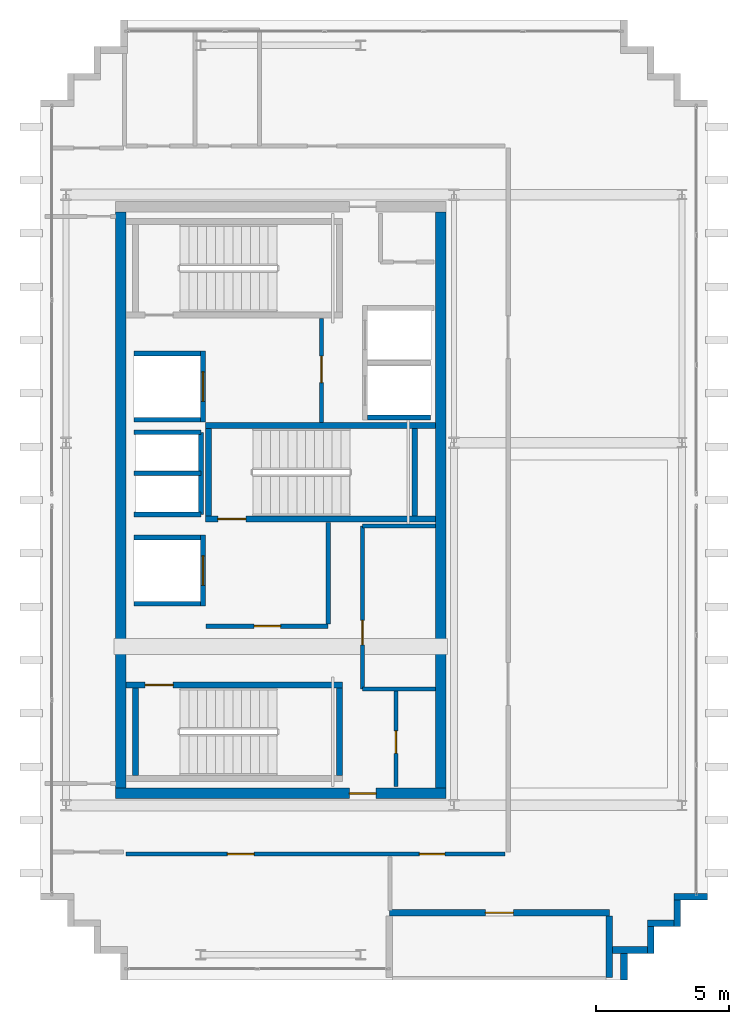
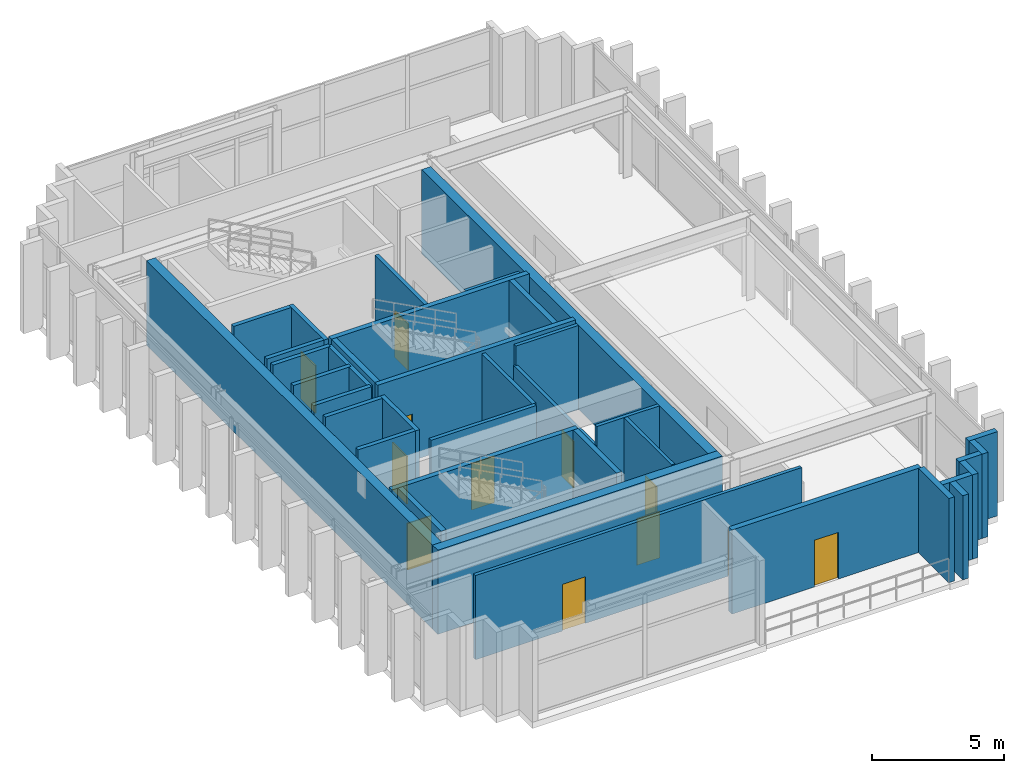
# One storey, part 11 of 15: 37 walls, 12 doors, 12 openings.
"""IFC4 building model written with IfcOpenShell, lengths in metres."""

from ifc_helpers import new_model, si_unit, direction, frame, frame_2d, origin, place, context, subcontext, project, spatial, rectangle, extrude, source, transform, mapped, material, layer, layer_set, type_object, element, fill, save


model = new_model("IFC4")

# Units and contexts
model_context = context("Model", 3, precision=1e-05, world=origin(), true_north=direction((0.0, 1.0)))
body_context = subcontext(model_context, "Body", "Model", "MODEL_VIEW")
ifc_project = project(units=[si_unit("LENGTHUNIT", "METRE"), si_unit("AREAUNIT", "SQUARE_METRE"), si_unit("VOLUMEUNIT", "CUBIC_METRE"), si_unit("PLANEANGLEUNIT", "RADIAN"), si_unit("MASSUNIT", "GRAM", prefix="KILO")], contexts=[model_context])

# Site, building, storey
site_placement = place(None, origin())
site = spatial("IfcSite", under=ifc_project, at=site_placement, CompositionType="ELEMENT")
building_placement = place(site_placement, origin())
building = spatial("IfcBuilding", under=site, at=building_placement, Name="Ocotamira Hotel", CompositionType="ELEMENT")
storey_placement = place(building_placement, frame((0.0, 0.0, 305.39990234375)))
storey = spatial("IfcBuildingStorey", under=building, at=storey_placement, Name="L78", CompositionType="ELEMENT", Elevation=305.39990234375)

# Wall, opening, door
ifc_material_1 = material(Name="Concrete C50/60", Category="concrete")
ifc_layer_1 = layer(ifc_material_1, 0.39990234375)
ifc_layer_set_1 = layer_set([ifc_layer_1], Name="Concrete C50/60")
wall_type_1 = type_object("IfcWallType", Name="WL-CORE-400", PredefinedType="SHEAR", material=ifc_layer_set_1)
wall_1_placement = place(storey_placement, frame((10.800048828125, 15.0, 0.0), z_axis=(0.0, 0.0, 1.0), x_axis=(1.0, 0.0, 0.0)))
wall_1 = element("IfcWall", 1, at=wall_1_placement, inside=storey, type_object=wall_type_1, Name="L78 Shear Core Wall WCORE-S", PredefinedType="SHEAR", context=body_context, shape_type="SweptSolid", body=[
    extrude(rectangle(XDim=12.39990234375, YDim=0.39990234375, at=frame_2d((6.199951171875, 0.0))), origin(), (0.0, 0.0, 1.0), 3.880126953125),
])
opening_1_placement = place(wall_1_placement, frame((8.780029296875, 0.0, 0.0)))
opening_1 = element("IfcOpeningElement", 2, at=opening_1_placement, cuts=wall_1, Name="Opening D-FR2", PredefinedType="OPENING", context=body_context, shape_type="SweptSolid", body=[
    extrude(rectangle(XDim=1.0, YDim=2.14990234375, at=frame_2d((0.5, 1.074951171875))), frame((0.0, 0.2099609375, 0.0), z_axis=(0.0, -1.0, 0.0), x_axis=(1.0, 0.0, 0.0)), (0.0, 0.0, 1.0), 0.419921875),
])
ifc_material_2 = material(Name="Fire-rated acoustic timber-veneer door", Category="wood")
door_type_1 = type_object("IfcDoorType", Name="DR-FIRE-1000", OperationType="NOTDEFINED", PredefinedType="DOOR", material=ifc_material_2)
shared_shape_1 = source(origin(), body_context, "Body", "SweptSolid", [
    extrude(rectangle(XDim=1.0, YDim=2.14990234375, at=frame_2d((0.5, 1.074951171875))), frame((0.0, 0.02490234375, 0.0), z_axis=(0.0, -1.0, 0.0), x_axis=(1.0, 0.0, 0.0)), (0.0, 0.0, 1.0), 0.050048828125),
])
door_1_placement = place(opening_1_placement, origin())
door_1 = element("IfcDoor", 3, at=door_1_placement, inside=storey, type_object=door_type_1, Name="L78 Door ID-L78-WLOB-S-D [ID-L78-WLOB-S-D]", OperationType="SINGLE_SWING_LEFT", OverallHeight=2.14990234375, OverallWidth=1.0, PredefinedType="DOOR", context=body_context, shape_type="MappedRepresentation", body=[
    mapped(shared_shape_1, transform((0.0, 0.0, 0.0), scale=1.0)),
])
fill(opening_1, door_1)

# Walls
for number, where, z_axis, x_axis, name in (
    (4, (11.0, 15.199951171875, 0.0), (0.0, 0.0, 1.0), (0.0, 1.0, 0.0), "L78 Shear Core Wall WCORE-W"),
    (5, (23.0, 15.199951171875, 0.0), (0.0, 0.0, 1.0), (0.0, 1.0, 0.0), "L78 Shear Core Wall WCORE-E"),
):
    element("IfcWall", number, at=place(storey_placement, frame(where, z_axis=z_axis, x_axis=x_axis)), inside=storey, type_object=wall_type_1, Name=name, PredefinedType="SHEAR", context=body_context, shape_type="SweptSolid", body=[
        extrude(rectangle(XDim=21.60009765625, YDim=0.39990234375, at=frame_2d((10.800048828125, 0.0))), origin(), (0.0, 0.0, 1.0), 3.880126953125),
    ])
ifc_material_3 = material(Name="Precast concrete C45/55", Category="concrete")
ifc_layer_2 = layer(ifc_material_3, 0.25)
ifc_layer_set_2 = layer_set([ifc_layer_2], Name="Precast concrete C45/55")
wall_type_2 = type_object("IfcWallType", Name="WL-EXT-SER-250", PredefinedType="SOLIDWALL", material=ifc_layer_set_2)
wall_2_placement = place(storey_placement, frame((29.875, 8.0, 0.0), z_axis=(0.0, 0.0, 1.0), x_axis=(0.0, 1.0, 0.0)))
element("IfcWall", 6, at=wall_2_placement, inside=storey, type_object=wall_type_2, Name="L78 Serrated Corner Wall 01", PredefinedType="SOLIDWALL", context=body_context, shape_type="SweptSolid", body=[
    extrude(rectangle(XDim=1.0, YDim=0.25, at=frame_2d((0.5, 0.0))), origin(), (0.0, 0.0, 1.0), 3.880126953125),
])
wall_3_placement = place(storey_placement, frame((29.449951171875, 9.125, 0.0), z_axis=(0.0, 0.0, 1.0), x_axis=(1.0, 0.0, 0.0)))
element("IfcWall", 7, at=wall_3_placement, inside=storey, type_object=wall_type_2, Name="L78 Serrated Corner Wall 02", PredefinedType="SOLIDWALL", context=body_context, shape_type="SweptSolid", body=[
    extrude(rectangle(XDim=1.300048828125, YDim=0.25, at=frame_2d((0.64990234375, 0.0))), origin(), (0.0, 0.0, 1.0), 3.880126953125),
])
for number, where, z_axis, x_axis, name in (
    (8, (30.875, 9.0, 0.0), (0.0, 0.0, 1.0), (0.0, 1.0, 0.0), "L78 Serrated Corner Wall 03"),
    (9, (30.75, 10.125, 0.0), (0.0, 0.0, 1.0), (1.0, 0.0, 0.0), "L78 Serrated Corner Wall 04"),
    (10, (31.875, 10.0, 0.0), (0.0, 0.0, 1.0), (0.0, 1.0, 0.0), "L78 Serrated Corner Wall 05"),
):
    element("IfcWall", number, at=place(storey_placement, frame(where, z_axis=z_axis, x_axis=x_axis)), inside=storey, type_object=wall_type_2, Name=name, PredefinedType="SOLIDWALL", context=body_context, shape_type="SweptSolid", body=[
        extrude(rectangle(XDim=1.0, YDim=0.25, at=frame_2d((0.5, 0.0))), origin(), (0.0, 0.0, 1.0), 3.880126953125),
    ])
wall_4_placement = place(storey_placement, frame((31.75, 11.125, 0.0), z_axis=(0.0, 0.0, 1.0), x_axis=(1.0, 0.0, 0.0)))
element("IfcWall", 11, at=wall_4_placement, inside=storey, type_object=wall_type_2, Name="L78 Serrated Corner Wall 06", PredefinedType="SOLIDWALL", context=body_context, shape_type="SweptSolid", body=[
    extrude(rectangle(XDim=1.25, YDim=0.25, at=frame_2d((0.625, 0.0))), origin(), (0.0, 0.0, 1.0), 3.880126953125),
])

# Wall, opening, door
wall_5_placement = place(storey_placement, frame((21.074951171875, 10.52490234375, 0.0), z_axis=(0.0, 0.0, 1.0), x_axis=(1.0, 0.0, 0.0)))
wall_5 = element("IfcWall", 12, at=wall_5_placement, inside=storey, type_object=wall_type_2, Name="L78 Sky Terrace Back Wall 1", PredefinedType="SOLIDWALL", context=body_context, shape_type="SweptSolid", body=[
    extrude(rectangle(XDim=8.25, YDim=0.25, at=frame_2d((4.125, 0.0))), origin(), (0.0, 0.0, 1.0), 3.880126953125),
])
opening_2_placement = place(wall_5_placement, frame((3.60009765625, 0.0, 0.0)))
opening_2 = element("IfcOpeningElement", 13, at=opening_2_placement, cuts=wall_5, Name="Opening ED-3", PredefinedType="OPENING", context=body_context, shape_type="SweptSolid", body=[
    extrude(rectangle(XDim=1.050048828125, YDim=2.14990234375, at=frame_2d((0.52490234375, 1.074951171875))), frame((0.0, 0.135009765625, 0.0), z_axis=(0.0, -1.0, 0.0), x_axis=(1.0, 0.0, 0.0)), (0.0, 0.0, 1.0), 0.27001953125),
])
ifc_material_4 = material(Name="Thermally broken aluminium glazed door", Category="aluminium")
door_type_2 = type_object("IfcDoorType", Name="DR-TERR-1050", OperationType="NOTDEFINED", PredefinedType="DOOR", material=ifc_material_4)
shared_shape_2 = source(origin(), body_context, "Body", "SweptSolid", [
    extrude(rectangle(XDim=1.050048828125, YDim=2.14990234375, at=frame_2d((0.52490234375, 1.074951171875))), frame((0.0, 0.02490234375, 0.0), z_axis=(0.0, -1.0, 0.0), x_axis=(1.0, 0.0, 0.0)), (0.0, 0.0, 1.0), 0.050048828125),
])
door_2_placement = place(opening_2_placement, origin())
door_2 = element("IfcDoor", 14, at=door_2_placement, inside=storey, type_object=door_type_2, Name="L78 Sky Terrace Access Door 1 [ED-BAL-L78-1]", OperationType="SINGLE_SWING_RIGHT", OverallHeight=2.14990234375, OverallWidth=1.050048828125, PredefinedType="DOOR", context=body_context, shape_type="MappedRepresentation", body=[
    mapped(shared_shape_2, transform((0.0, 0.0, 0.0), scale=1.0)),
])
fill(opening_2, door_2)

# Wall
wall_6_placement = place(storey_placement, frame((29.324951171875, 8.10009765625, 0.0), z_axis=(0.0, 0.0, 1.0), x_axis=(0.0, 1.0, 0.0)))
element("IfcWall", 15, at=wall_6_placement, inside=storey, type_object=wall_type_2, Name="L78 Sky Terrace Return Wall 1R", PredefinedType="SOLIDWALL", context=body_context, shape_type="SweptSolid", body=[
    extrude(rectangle(XDim=2.2998046875, YDim=0.25, at=frame_2d((1.14990234375, 0.0))), origin(), (0.0, 0.0, 1.0), 3.880126953125),
])

# Wall, opening, door
ifc_material_5 = material(Name="Acoustic double-layer fire gypsum board partition", Category="gypsum")
ifc_layer_3 = layer(ifc_material_5, 0.159912109375)
ifc_layer_set_3 = layer_set([ifc_layer_3], Name="Acoustic double-layer fire gypsum board partition")
wall_type_3 = type_object("IfcWallType", Name="WL-FIRE-160", PredefinedType="PARTITIONING", material=ifc_layer_set_3)
wall_7_placement = place(storey_placement, frame((14.199951171875, 21.27001953125, 0.0), z_axis=(0.0, 0.0, 1.0), x_axis=(1.0, 0.0, 0.0)))
wall_7 = element("IfcWall", 16, at=wall_7_placement, inside=storey, type_object=wall_type_3, Name="L78 Interior Wall PW-L78-FSAE1-S", PredefinedType="PARTITIONING", context=body_context, shape_type="SweptSolid", body=[
    extrude(rectangle(XDim=4.580078125, YDim=0.159912109375, at=frame_2d((2.2900390625, 0.0))), origin(), (0.0, 0.0, 1.0), 3.880126953125),
])
opening_3_placement = place(wall_7_placement, frame((1.800048828125, 0.0, 0.0)))
opening_3 = element("IfcOpeningElement", 17, at=opening_3_placement, cuts=wall_7, Name="Opening D-FR2", PredefinedType="OPENING", context=body_context, shape_type="SweptSolid", body=[
    extrude(rectangle(XDim=1.0, YDim=2.14990234375, at=frame_2d((0.5, 1.074951171875))), frame((0.0, 0.08984375, 0.0), z_axis=(0.0, -1.0, 0.0), x_axis=(1.0, 0.0, 0.0)), (0.0, 0.0, 1.0), 0.179931640625),
])
door_3_placement = place(opening_3_placement, origin())
door_3 = element("IfcDoor", 18, at=door_3_placement, inside=storey, type_object=door_type_1, Name="L78 Door ID-L78-FSAE1-D [ID-L78-FSAE1-D]", OperationType="SINGLE_SWING_LEFT", OverallHeight=2.14990234375, OverallWidth=1.0, PredefinedType="DOOR", context=body_context, shape_type="MappedRepresentation", body=[
    mapped(shared_shape_1, transform((0.0, 0.0, 0.0), scale=1.0)),
])
fill(opening_3, door_3)

# Wall
wall_8_placement = place(storey_placement, frame((18.780029296875, 21.35009765625, 0.0), z_axis=(0.0, 0.0, 1.0), x_axis=(0.0, 1.0, 0.0)))
element("IfcWall", 19, at=wall_8_placement, inside=storey, type_object=wall_type_3, Name="L78 Interior Wall PW-L78-FSAE1-E", PredefinedType="PARTITIONING", context=body_context, shape_type="SweptSolid", body=[
    extrude(rectangle(XDim=3.809814453125, YDim=0.159912109375, at=frame_2d((1.90478515625, 0.0))), origin(), (0.0, 0.0, 1.0), 3.880126953125),
])

# Wall, opening, door
wall_9_placement = place(storey_placement, frame((18.530029296875, 28.89990234375, 0.0), z_axis=(0.0, 0.0, 1.0), x_axis=(0.0, 1.0, 0.0)))
wall_9 = element("IfcWall", 20, at=wall_9_placement, inside=storey, type_object=wall_type_3, Name="L78 Interior Wall PW-L78-FSAE2-E", PredefinedType="PARTITIONING", context=body_context, shape_type="SweptSolid", body=[
    extrude(rectangle(XDim=3.900146484375, YDim=0.159912109375, at=frame_2d((1.9501953125, 0.0))), origin(), (0.0, 0.0, 1.0), 3.880126953125),
])
opening_4_placement = place(wall_9_placement, frame((1.5, 0.0, 0.0)))
opening_4 = element("IfcOpeningElement", 21, at=opening_4_placement, cuts=wall_9, Name="Opening D-FR2", PredefinedType="OPENING", context=body_context, shape_type="SweptSolid", body=[
    extrude(rectangle(XDim=1.0, YDim=2.14990234375, at=frame_2d((0.5, 1.074951171875))), frame((0.0, 0.08984375, 0.0), z_axis=(0.0, -1.0, 0.0), x_axis=(1.0, 0.0, 0.0)), (0.0, 0.0, 1.0), 0.179931640625),
])
door_4_placement = place(opening_4_placement, origin())
door_4 = element("IfcDoor", 22, at=door_4_placement, inside=storey, type_object=door_type_1, Name="L78 Door ID-L78-FSAE2-D [ID-L78-FSAE2-D]", OperationType="SINGLE_SWING_RIGHT", OverallHeight=2.14990234375, OverallWidth=1.0, PredefinedType="DOOR", context=body_context, shape_type="MappedRepresentation", body=[
    mapped(shared_shape_1, transform((0.0, 0.0, 0.0), scale=1.0)),
])
fill(opening_4, door_4)

ifc_material_6 = material(Name="Acoustic hospitality gypsum board partition", Category="gypsum")
ifc_layer_4 = layer(ifc_material_6, 0.14208984375)
ifc_layer_set_4 = layer_set([ifc_layer_4], Name="Acoustic hospitality gypsum board partition")
wall_type_4 = type_object("IfcWallType", Name="WL-PART-142", PredefinedType="PARTITIONING", material=ifc_layer_set_4)
wall_10_placement = place(storey_placement, frame((21.320068359375, 15.25, 0.0), z_axis=(0.0, 0.0, 1.0), x_axis=(0.0, 1.0, 0.0)))
wall_10 = element("IfcWall", 23, at=wall_10_placement, inside=storey, type_object=wall_type_4, Name="L78 Interior Wall PW-L78-WC-SE-W", PredefinedType="PARTITIONING", context=body_context, shape_type="SweptSolid", body=[
    extrude(rectangle(XDim=3.590087890625, YDim=0.14208984375, at=frame_2d((1.794921875, 0.0))), origin(), (0.0, 0.0, 1.0), 3.880126953125),
])
opening_5_placement = place(wall_10_placement, frame((1.25, 0.0, 0.0)))
opening_5 = element("IfcOpeningElement", 24, at=opening_5_placement, cuts=wall_10, Name="Opening D-SV1", PredefinedType="OPENING", context=body_context, shape_type="SweptSolid", body=[
    extrude(rectangle(XDim=0.840087890625, YDim=2.10009765625, at=frame_2d((0.419921875, 1.050048828125))), frame((0.0, 0.0810546875, 0.0), z_axis=(0.0, -1.0, 0.0), x_axis=(1.0, 0.0, 0.0)), (0.0, 0.0, 1.0), 0.162109375),
])
ifc_material_7 = material(Name="Fire-rated painted steel service door", Category="steel")
door_type_3 = type_object("IfcDoorType", Name="DR-SERV-840", OperationType="NOTDEFINED", PredefinedType="DOOR", material=ifc_material_7)
shared_shape_3 = source(origin(), body_context, "Body", "SweptSolid", [
    extrude(rectangle(XDim=0.840087890625, YDim=2.10009765625, at=frame_2d((0.419921875, 1.050048828125))), frame((0.0, 0.02490234375, 0.0), z_axis=(0.0, -1.0, 0.0), x_axis=(1.0, 0.0, 0.0)), (0.0, 0.0, 1.0), 0.050048828125),
])
door_5_placement = place(opening_5_placement, origin())
door_5 = element("IfcDoor", 25, at=door_5_placement, inside=storey, type_object=door_type_3, Name="L78 Door ID-L78-WC-SE-D [ID-L78-WC-SE-D]", OperationType="SINGLE_SWING_RIGHT", OverallHeight=2.10009765625, OverallWidth=0.840087890625, PredefinedType="DOOR", context=body_context, shape_type="MappedRepresentation", body=[
    mapped(shared_shape_3, transform((0.0, 0.0, 0.0), scale=1.0)),
])
fill(opening_5, door_5)

# Walls
ifc_layer_5 = layer(ifc_material_6, 0.14990234375)
ifc_layer_set_5 = layer_set([ifc_layer_5], Name="Acoustic hospitality gypsum board partition")
wall_type_5 = type_object("IfcWallType", Name="WL-PART-150", PredefinedType="PARTITIONING", material=ifc_layer_set_5)
for number, where, z_axis, x_axis, name in (
    (26, (20.070068359375, 18.919921875, 0.0), (0.0, 0.0, 1.0), (1.0, 0.0, 0.0), "L78 Interior Wall PW-L78-W-FREED-HI-S"),
    (27, (20.070068359375, 25.030029296875, 0.0), (0.0, 0.0, 1.0), (1.0, 0.0, 0.0), "L78 Interior Wall PW-L78-W-FREED-HI-N"),
):
    element("IfcWall", number, at=place(storey_placement, frame(where, z_axis=z_axis, x_axis=x_axis)), inside=storey, type_object=wall_type_5, Name=name, PredefinedType="PARTITIONING", context=body_context, shape_type="SweptSolid", body=[
        extrude(rectangle(XDim=2.72998046875, YDim=0.14990234375, at=frame_2d((1.364990234375, 0.0))), origin(), (0.0, 0.0, 1.0), 3.880126953125),
    ])

# Wall, opening, door
wall_11_placement = place(storey_placement, frame((20.070068359375, 18.919921875, 0.0), z_axis=(0.0, 0.0, 1.0), x_axis=(0.0, 1.0, 0.0)))
wall_11 = element("IfcWall", 28, at=wall_11_placement, inside=storey, type_object=wall_type_5, Name="L78 Interior Wall PW-L78-W-FREED-HI-W", PredefinedType="PARTITIONING", context=body_context, shape_type="SweptSolid", body=[
    extrude(rectangle(XDim=6.110107421875, YDim=0.14990234375, at=frame_2d((3.05517578125, 0.0))), origin(), (0.0, 0.0, 1.0), 2.97998046875),
])
opening_6_placement = place(wall_11_placement, frame((1.64990234375, 0.0, 0.0)))
opening_6 = element("IfcOpeningElement", 29, at=opening_6_placement, cuts=wall_11, Name="Opening D-SV3", PredefinedType="OPENING", context=body_context, shape_type="SweptSolid", body=[
    extrude(rectangle(XDim=0.919921875, YDim=2.14990234375, at=frame_2d((0.4599609375, 1.074951171875))), frame((0.0, 0.0849609375, 0.0), z_axis=(0.0, -1.0, 0.0), x_axis=(1.0, 0.0, 0.0)), (0.0, 0.0, 1.0), 0.169921875),
])
ifc_material_8 = material(Name="Fire-rated walnut hospitality door", Category="wood")
door_type_4 = type_object("IfcDoorType", Name="DR-SERV-920", OperationType="NOTDEFINED", PredefinedType="DOOR", material=ifc_material_8)
shared_shape_4 = source(origin(), body_context, "Body", "SweptSolid", [
    extrude(rectangle(XDim=0.919921875, YDim=2.14990234375, at=frame_2d((0.4599609375, 1.074951171875))), frame((0.0, 0.02490234375, 0.0), z_axis=(0.0, -1.0, 0.0), x_axis=(1.0, 0.0, 0.0)), (0.0, 0.0, 1.0), 0.050048828125),
])
door_6_placement = place(opening_6_placement, origin())
door_6 = element("IfcDoor", 30, at=door_6_placement, inside=storey, type_object=door_type_4, Name="L78 Door ID-L78-W-FREED-HI-D [ID-L78-W-FREED-HI-D]", OperationType="SINGLE_SWING_RIGHT", OverallHeight=2.14990234375, OverallWidth=0.919921875, PredefinedType="DOOR", context=body_context, shape_type="MappedRepresentation", body=[
    mapped(shared_shape_4, transform((0.0, 0.0, 0.0), scale=1.0)),
])
fill(opening_6, door_6)

# Wall, openings, doors
wall_12_placement = place(storey_placement, frame((11.199951171875, 12.719970703125, 0.0), z_axis=(0.0, 0.0, 1.0), x_axis=(1.0, 0.0, 0.0)))
wall_12 = element("IfcWall", 31, at=wall_12_placement, inside=storey, type_object=wall_type_5, Name="L78 Interior Wall PW-L78-L78-SW", PredefinedType="PARTITIONING", context=body_context, shape_type="SweptSolid", body=[
    extrude(rectangle(XDim=14.219970703125, YDim=0.14990234375, at=frame_2d((7.10986328125, 0.0))), origin(), (0.0, 0.0, 1.0), 3.880126953125),
])
opening_7_placement = place(wall_12_placement, frame((3.800048828125, 0.0, 0.0)))
opening_7 = element("IfcOpeningElement", 32, at=opening_7_placement, cuts=wall_12, Name="Opening D-FR2", PredefinedType="OPENING", context=body_context, shape_type="SweptSolid", body=[
    extrude(rectangle(XDim=1.0, YDim=2.14990234375, at=frame_2d((0.5, 1.074951171875))), frame((0.0, 0.0849609375, 0.0), z_axis=(0.0, -1.0, 0.0), x_axis=(1.0, 0.0, 0.0)), (0.0, 0.0, 1.0), 0.169921875),
])
opening_8_placement = place(wall_12_placement, frame((11.0, 0.0, 0.0)))
opening_8 = element("IfcOpeningElement", 33, at=opening_8_placement, cuts=wall_12, Name="Opening D-SV4", PredefinedType="OPENING", context=body_context, shape_type="SweptSolid", body=[
    extrude(rectangle(XDim=0.9599609375, YDim=2.14990234375, at=frame_2d((0.47998046875, 1.074951171875))), frame((0.0, 0.0849609375, 0.0), z_axis=(0.0, -1.0, 0.0), x_axis=(1.0, 0.0, 0.0)), (0.0, 0.0, 1.0), 0.169921875),
])
door_7_placement = place(opening_7_placement, origin())
door_7 = element("IfcDoor", 34, at=door_7_placement, inside=storey, type_object=door_type_1, Name="L78 Door ID-L78-L78-SD1 [ID-L78-L78-SD1]", OperationType="SINGLE_SWING_LEFT", OverallHeight=2.14990234375, OverallWidth=1.0, PredefinedType="DOOR", context=body_context, shape_type="MappedRepresentation", body=[
    mapped(shared_shape_1, transform((0.0, 0.0, 0.0), scale=1.0)),
])
fill(opening_7, door_7)
ifc_material_9 = material(Name="Fire-rated accessible walnut salon door", Category="wood")
door_type_5 = type_object("IfcDoorType", Name="DR-SERV-960", OperationType="NOTDEFINED", PredefinedType="DOOR", material=ifc_material_9)
shared_shape_5 = source(origin(), body_context, "Body", "SweptSolid", [
    extrude(rectangle(XDim=0.9599609375, YDim=2.14990234375, at=frame_2d((0.47998046875, 1.074951171875))), frame((0.0, 0.02490234375, 0.0), z_axis=(0.0, -1.0, 0.0), x_axis=(1.0, 0.0, 0.0)), (0.0, 0.0, 1.0), 0.050048828125),
])
door_8_placement = place(opening_8_placement, origin())
door_8 = element("IfcDoor", 35, at=door_8_placement, inside=storey, type_object=door_type_5, Name="L78 Door ID-L78-L78-SD2 [ID-L78-L78-SD2]", OperationType="SINGLE_SWING_RIGHT", OverallHeight=2.14990234375, OverallWidth=0.9599609375, PredefinedType="DOOR", context=body_context, shape_type="MappedRepresentation", body=[
    mapped(shared_shape_5, transform((0.0, 0.0, 0.0), scale=1.0)),
])
fill(opening_8, door_8)

# Walls
ifc_material_10 = material(Name="Fire-rated gypsum shaftliner board assembly", Category="gypsum")
ifc_layer_6 = layer(ifc_material_10, 0.179931640625)
ifc_layer_set_6 = layer_set([ifc_layer_6], Name="Fire-rated gypsum shaftliner board assembly")
wall_type_6 = type_object("IfcWallType", Name="WL-SHAFT-180", PredefinedType="SOLIDWALL", material=ifc_layer_set_6)
wall_13_placement = place(storey_placement, frame((20.25, 29.090087890625, 0.0), z_axis=(0.0, 0.0, 1.0), x_axis=(1.0, 0.0, 0.0)))
element("IfcWall", 36, at=wall_13_placement, inside=storey, type_object=wall_type_6, Name="L78 Interior Wall PW-L78-LFW-BANK-obs-S", PredefinedType="SOLIDWALL", context=body_context, shape_type="SweptSolid", body=[
    extrude(rectangle(XDim=2.360107421875, YDim=0.179931640625, at=frame_2d((1.18017578125, 0.0))), origin(), (0.0, 0.0, 1.0), 3.880126953125),
])
for number, where, z_axis, x_axis, name in (
    (37, (11.5, 22.110107421875, 0.0), (0.0, 0.0, 1.0), (1.0, 0.0, 0.0), "L78 Interior Wall PW-L78-LFW-LF-FSAE1-S"),
    (38, (11.5, 24.590087890625, 0.0), (0.0, 0.0, 1.0), (1.0, 0.0, 0.0), "L78 Interior Wall PW-L78-LFW-LF-FSAE1-N"),
):
    element("IfcWall", number, at=place(storey_placement, frame(where, z_axis=z_axis, x_axis=x_axis)), inside=storey, type_object=wall_type_6, Name=name, PredefinedType="SOLIDWALL", context=body_context, shape_type="SweptSolid", body=[
        extrude(rectangle(XDim=2.5, YDim=0.179931640625, at=frame_2d((1.25, 0.0))), origin(), (0.0, 0.0, 1.0), 3.880126953125),
    ])

# Wall, opening, door
wall_14_placement = place(storey_placement, frame((14.090087890625, 22.02001953125, 0.0), z_axis=(0.0, 0.0, 1.0), x_axis=(0.0, 1.0, 0.0)))
wall_14 = element("IfcWall", 39, at=wall_14_placement, inside=storey, type_object=wall_type_6, Name="L78 Interior Wall PW-L78-LFW-LF-FSAE1-E", PredefinedType="SOLIDWALL", context=body_context, shape_type="SweptSolid", body=[
    extrude(rectangle(XDim=2.659912109375, YDim=0.179931640625, at=frame_2d((1.330078125, 0.0))), origin(), (0.0, 0.0, 1.0), 3.880126953125),
])
opening_9_placement = place(wall_14_placement, frame((0.780029296875, 0.0, 0.0)))
opening_9 = element("IfcOpeningElement", 40, at=opening_9_placement, cuts=wall_14, Name="Opening LD-LF-FSAE1", PredefinedType="OPENING", context=body_context, shape_type="SweptSolid", body=[
    extrude(rectangle(XDim=1.10009765625, YDim=2.199951171875, at=frame_2d((0.550048828125, 1.10009765625))), frame((0.0, 0.10009765625, 0.0), z_axis=(0.0, -1.0, 0.0), x_axis=(1.0, 0.0, 0.0)), (0.0, 0.0, 1.0), 0.199951171875),
])
ifc_material_11 = material(Name="Brushed pale-metal stainless elevator landing door", Category="steel")
door_type_6 = type_object("IfcDoorType", Name="DR-LIFT-1100", OperationType="NOTDEFINED", PredefinedType="DOOR", material=ifc_material_11)
shared_shape_6 = source(origin(), body_context, "Body", "SweptSolid", [
    extrude(rectangle(XDim=1.10009765625, YDim=2.199951171875, at=frame_2d((0.550048828125, 1.10009765625))), frame((0.0, 0.02490234375, 0.0), z_axis=(0.0, -1.0, 0.0), x_axis=(1.0, 0.0, 0.0)), (0.0, 0.0, 1.0), 0.050048828125),
])
door_9_placement = place(opening_9_placement, origin())
door_9 = element("IfcDoor", 41, at=door_9_placement, inside=storey, type_object=door_type_6, Name="L78 Landing Door LD-LF-FSAE1 [ID-L78-LD-LF-FSAE1]", OperationType="DOUBLE_DOOR_SLIDING", OverallHeight=2.199951171875, OverallWidth=1.10009765625, PredefinedType="DOOR", context=body_context, shape_type="MappedRepresentation", body=[
    mapped(shared_shape_6, transform((0.0, 0.0, 0.0), scale=1.0)),
])
fill(opening_9, door_9)

# Walls
for number, where, z_axis, x_axis, name in (
    (42, (11.5, 29.010009765625, 0.0), (0.0, 0.0, 1.0), (1.0, 0.0, 0.0), "L78 Interior Wall PW-L78-LFW-LF-FSAE2-S"),
    (43, (11.5, 31.489990234375, 0.0), (0.0, 0.0, 1.0), (1.0, 0.0, 0.0), "L78 Interior Wall PW-L78-LFW-LF-FSAE2-N"),
):
    element("IfcWall", number, at=place(storey_placement, frame(where, z_axis=z_axis, x_axis=x_axis)), inside=storey, type_object=wall_type_6, Name=name, PredefinedType="SOLIDWALL", context=body_context, shape_type="SweptSolid", body=[
        extrude(rectangle(XDim=2.5, YDim=0.179931640625, at=frame_2d((1.25, 0.0))), origin(), (0.0, 0.0, 1.0), 3.880126953125),
    ])

# Wall, opening, door
wall_15_placement = place(storey_placement, frame((14.090087890625, 28.919921875, 0.0), z_axis=(0.0, 0.0, 1.0), x_axis=(0.0, 1.0, 0.0)))
wall_15 = element("IfcWall", 44, at=wall_15_placement, inside=storey, type_object=wall_type_6, Name="L78 Interior Wall PW-L78-LFW-LF-FSAE2-E", PredefinedType="SOLIDWALL", context=body_context, shape_type="SweptSolid", body=[
    extrude(rectangle(XDim=2.66015625, YDim=0.179931640625, at=frame_2d((1.330078125, 0.0))), origin(), (0.0, 0.0, 1.0), 3.880126953125),
])
opening_10_placement = place(wall_15_placement, frame((0.780029296875, 0.0, 0.0)))
opening_10 = element("IfcOpeningElement", 45, at=opening_10_placement, cuts=wall_15, Name="Opening LD-LF-FSAE2", PredefinedType="OPENING", context=body_context, shape_type="SweptSolid", body=[
    extrude(rectangle(XDim=1.10009765625, YDim=2.199951171875, at=frame_2d((0.550048828125, 1.10009765625))), frame((0.0, 0.10009765625, 0.0), z_axis=(0.0, -1.0, 0.0), x_axis=(1.0, 0.0, 0.0)), (0.0, 0.0, 1.0), 0.199951171875),
])
door_10_placement = place(opening_10_placement, origin())
door_10 = element("IfcDoor", 46, at=door_10_placement, inside=storey, type_object=door_type_6, Name="L78 Landing Door LD-LF-FSAE2 [ID-L78-LD-LF-FSAE2]", OperationType="DOUBLE_DOOR_SLIDING", OverallHeight=2.199951171875, OverallWidth=1.10009765625, PredefinedType="DOOR", context=body_context, shape_type="MappedRepresentation", body=[
    mapped(shared_shape_6, transform((0.0, 0.0, 0.0), scale=1.0)),
])
fill(opening_10, door_10)

# Walls
for number, where, z_axis, x_axis, name in (
    (47, (11.5, 25.4599609375, 0.0), (0.0, 0.0, 1.0), (1.0, 0.0, 0.0), "L78 Interior Wall PW-L78-RSW-S"),
    (48, (11.5, 27.0, 0.0), (0.0, 0.0, 1.0), (1.0, 0.0, 0.0), "L78 Interior Wall PW-L78-RSW-MID"),
    (49, (11.5, 28.5400390625, 0.0), (0.0, 0.0, 1.0), (1.0, 0.0, 0.0), "L78 Interior Wall PW-L78-RSW-N"),
):
    element("IfcWall", number, at=place(storey_placement, frame(where, z_axis=z_axis, x_axis=x_axis)), inside=storey, type_object=wall_type_6, Name=name, PredefinedType="SOLIDWALL", context=body_context, shape_type="SweptSolid", body=[
        extrude(rectangle(XDim=2.510009765625, YDim=0.179931640625, at=frame_2d((1.2548828125, 0.0))), origin(), (0.0, 0.0, 1.0), 3.880126953125),
    ])
wall_16_placement = place(storey_placement, frame((14.010009765625, 25.4599609375, 0.0), z_axis=(0.0, 0.0, 1.0), x_axis=(0.0, 1.0, 0.0)))
element("IfcWall", 50, at=wall_16_placement, inside=storey, type_object=wall_type_6, Name="L78 Interior Wall PW-L78-RSW-E", PredefinedType="SOLIDWALL", context=body_context, shape_type="SweptSolid", body=[
    extrude(rectangle(XDim=3.080078125, YDim=0.179931640625, at=frame_2d((1.5400390625, 0.0))), origin(), (0.0, 0.0, 1.0), 3.880126953125),
])

# Wall, opening, door
ifc_layer_7 = layer(ifc_material_1, 0.219970703125)
ifc_layer_set_7 = layer_set([ifc_layer_7], Name="Concrete C50/60")
wall_type_7 = type_object("IfcWallType", Name="WL-STAIR-220", PredefinedType="SHEAR", material=ifc_layer_set_7)
wall_17_placement = place(storey_placement, frame((11.199951171875, 19.06005859375, 0.0), z_axis=(0.0, 0.0, 1.0), x_axis=(1.0, 0.0, 0.0)))
wall_17 = element("IfcWall", 51, at=wall_17_placement, inside=storey, type_object=wall_type_7, Name="L78 Stair Shaft Structural Wall ST-1-N", PredefinedType="SHEAR", context=body_context, shape_type="SweptSolid", body=[
    extrude(rectangle(XDim=8.110107421875, YDim=0.219970703125, at=frame_2d((4.05517578125, 0.0))), origin(), (0.0, 0.0, 1.0), 4.0),
])
opening_11_placement = place(wall_17_placement, frame((0.719970703125, 0.0, 0.0)))
opening_11 = element("IfcOpeningElement", 52, at=opening_11_placement, cuts=wall_17, Name="Opening D-ST2", PredefinedType="OPENING", context=body_context, shape_type="SweptSolid", body=[
    extrude(rectangle(XDim=1.050048828125, YDim=2.14990234375, at=frame_2d((0.52490234375, 1.074951171875))), frame((0.0, 0.1201171875, 0.0), z_axis=(0.0, -1.0, 0.0), x_axis=(1.0, 0.0, 0.0)), (0.0, 0.0, 1.0), 0.239990234375),
])
ifc_material_12 = material(Name="Insulated painted hollow-metal fire exit door", Category="steel")
door_type_7 = type_object("IfcDoorType", Name="DR-STAIR-1050", OperationType="NOTDEFINED", PredefinedType="DOOR", material=ifc_material_12)
door_11_placement = place(opening_11_placement, origin())
door_11 = element("IfcDoor", 53, at=door_11_placement, inside=storey, type_object=door_type_7, Name="L78 Door ID-L78-STD-ST-1 [ID-L78-STD-ST-1]", OperationType="SINGLE_SWING_LEFT", OverallHeight=2.14990234375, OverallWidth=1.050048828125, PredefinedType="DOOR", context=body_context, shape_type="MappedRepresentation", body=[
    mapped(shared_shape_2, transform((0.0, 0.0, 0.0), scale=1.0)),
])
fill(opening_11, door_11)

# Walls
for number, where, z_axis, x_axis, name in (
    (54, (11.56005859375, 15.669921875, 0.0), (0.0, 0.0, 1.0), (0.0, 1.0, 0.0), "L78 Stair Shaft Structural Wall ST-1-W"),
    (55, (19.199951171875, 15.669921875, 0.0), (0.0, 0.0, 1.0), (0.0, 1.0, 0.0), "L78 Stair Shaft Structural Wall ST-1-E"),
):
    element("IfcWall", number, at=place(storey_placement, frame(where, z_axis=z_axis, x_axis=x_axis)), inside=storey, type_object=wall_type_7, Name=name, PredefinedType="SHEAR", context=body_context, shape_type="SweptSolid", body=[
        extrude(rectangle(XDim=3.280029296875, YDim=0.219970703125, at=frame_2d((1.64013671875, 0.0))), origin(), (0.0, 0.0, 1.0), 4.0),
    ])

# Wall, opening, door
wall_18_placement = place(storey_placement, frame((14.179931640625, 25.2900390625, 0.0), z_axis=(0.0, 0.0, 1.0), x_axis=(1.0, 0.0, 0.0)))
wall_18 = element("IfcWall", 56, at=wall_18_placement, inside=storey, type_object=wall_type_7, Name="L78 Stair Shaft Structural Wall ST-3-S", PredefinedType="SHEAR", context=body_context, shape_type="SweptSolid", body=[
    extrude(rectangle(XDim=8.6201171875, YDim=0.219970703125, at=frame_2d((4.31005859375, 0.0))), origin(), (0.0, 0.0, 1.0), 4.0),
])
opening_12_placement = place(wall_18_placement, frame((0.469970703125, 0.0, 0.0)))
opening_12 = element("IfcOpeningElement", 57, at=opening_12_placement, cuts=wall_18, Name="Opening D-ST2", PredefinedType="OPENING", context=body_context, shape_type="SweptSolid", body=[
    extrude(rectangle(XDim=1.050048828125, YDim=2.14990234375, at=frame_2d((0.52490234375, 1.074951171875))), frame((0.0, 0.1201171875, 0.0), z_axis=(0.0, -1.0, 0.0), x_axis=(1.0, 0.0, 0.0)), (0.0, 0.0, 1.0), 0.239990234375),
])
door_12_placement = place(opening_12_placement, origin())
door_12 = element("IfcDoor", 58, at=door_12_placement, inside=storey, type_object=door_type_7, Name="L78 Door ID-L78-STD-ST-3 [ID-L78-STD-ST-3]", OperationType="SINGLE_SWING_LEFT", OverallHeight=2.14990234375, OverallWidth=1.050048828125, PredefinedType="DOOR", context=body_context, shape_type="MappedRepresentation", body=[
    mapped(shared_shape_2, transform((0.0, 0.0, 0.0), scale=1.0)),
])
fill(opening_12, door_12)

# Walls
wall_19_placement = place(storey_placement, frame((14.179931640625, 28.7900390625, 0.0), z_axis=(0.0, 0.0, 1.0), x_axis=(1.0, 0.0, 0.0)))
element("IfcWall", 59, at=wall_19_placement, inside=storey, type_object=wall_type_7, Name="L78 Stair Shaft Structural Wall ST-3-N", PredefinedType="SHEAR", context=body_context, shape_type="SweptSolid", body=[
    extrude(rectangle(XDim=8.6201171875, YDim=0.219970703125, at=frame_2d((4.31005859375, 0.0))), origin(), (0.0, 0.0, 1.0), 4.0),
])
for number, where, z_axis, x_axis, name in (
    (60, (14.2900390625, 25.39990234375, 0.0), (0.0, 0.0, 1.0), (0.0, 1.0, 0.0), "L78 Stair Shaft Structural Wall ST-3-W"),
    (61, (22.030029296875, 25.39990234375, 0.0), (0.0, 0.0, 1.0), (0.0, 1.0, 0.0), "L78 Stair Shaft Structural Wall ST-3-E"),
):
    element("IfcWall", number, at=place(storey_placement, frame(where, z_axis=z_axis, x_axis=x_axis)), inside=storey, type_object=wall_type_7, Name=name, PredefinedType="SHEAR", context=body_context, shape_type="SweptSolid", body=[
        extrude(rectangle(XDim=3.280029296875, YDim=0.219970703125, at=frame_2d((1.64013671875, 0.0))), origin(), (0.0, 0.0, 1.0), 4.0),
    ])

save(model, "model.ifc")
